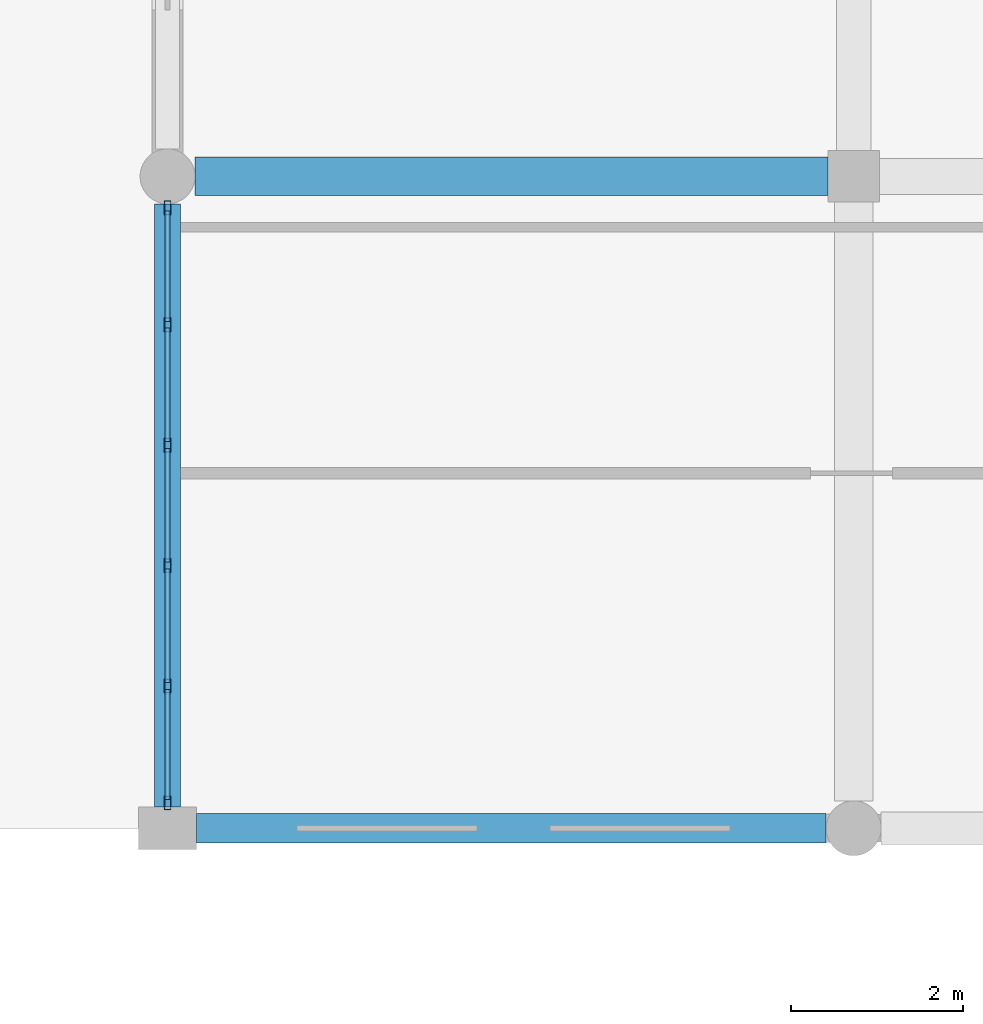
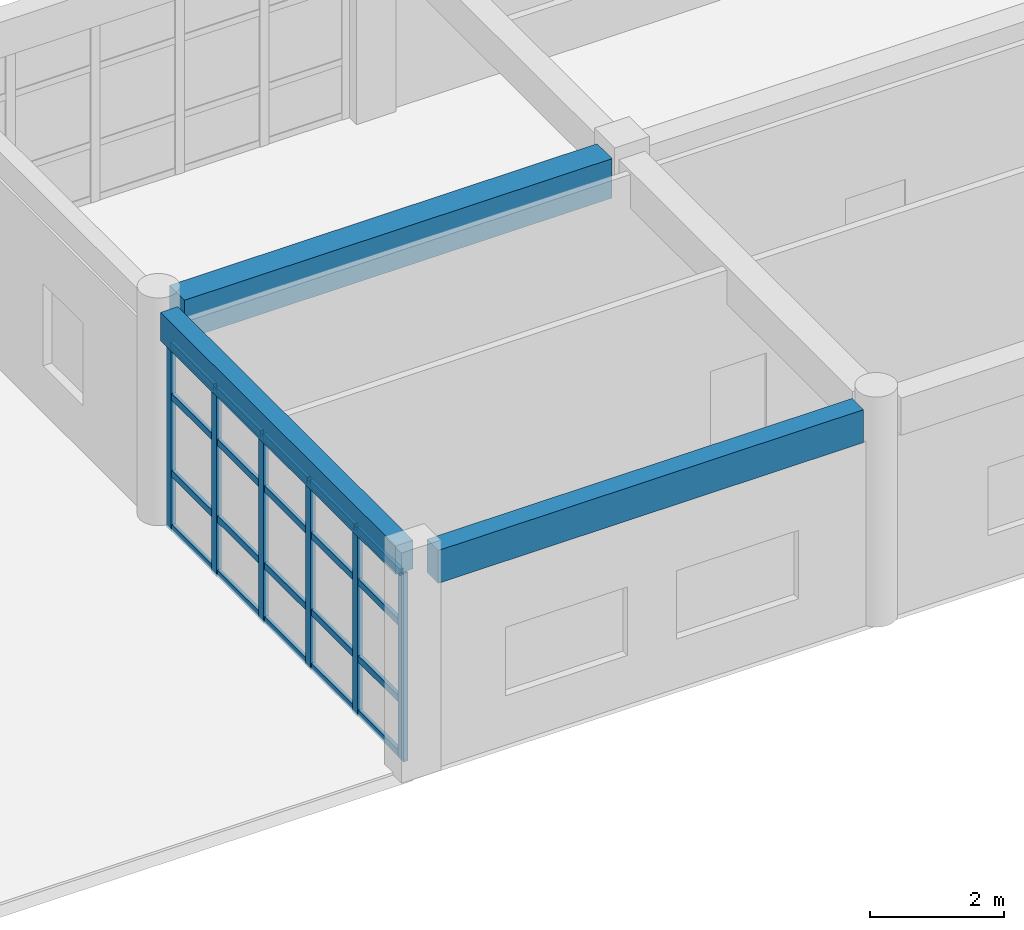
# One storey, part 33 of 121: 26 members, 3 beams, 1 element without a shape of its own.
"""IFC4 building model written with IfcOpenShell, lengths in metres."""

import ifcopenshell
import ifcopenshell.guid

model = None  # the IFC model being written
_history = None  # IfcOwnerHistory: only IFC2X3 demands one
_inside = {}  # id of a spatial element -> (the spatial element, [elements in it])
_under = {}  # id of a project, library or spatial element -> (it, [spatial elements below it])
_declared = {}  # id of a project -> (the project, [libraries it declares])
_typed = {}  # id of a type object -> (the type object, [elements of that type])
_made_of = {}  # id of a material, layer set ... -> (it, [elements and type objects made of it])


def new_model(schema):
    """Start an empty IFC model of exactly this schema.

    Asked for "IFC4X3", IfcOpenShell would pick the latest addendum, in which some entities
    have other attributes; the version numbers below select the first issue.
    IFC2X3 requires an IfcOwnerHistory on every rooted entity: one is made here for all.
    """
    global model, _history
    if schema == "IFC4X3":
        model = ifcopenshell.file(schema_version=(4, 3, 0, 0))
    else:
        model = ifcopenshell.file(schema=schema)
    _inside.clear()
    _under.clear()
    _declared.clear()
    _typed.clear()
    _made_of.clear()
    _history = None
    if model.schema == "IFC2X3":
        org = make("IfcOrganization", Name="unknown")
        user = make(
            "IfcPersonAndOrganization",
            ThePerson=make("IfcPerson", FamilyName="unknown"),
            TheOrganization=org,
        )
        app = make(
            "IfcApplication",
            ApplicationDeveloper=org,
            Version="unknown",
            ApplicationFullName="unknown",
            ApplicationIdentifier="unknown",
        )
        _history = make(
            "IfcOwnerHistory",
            OwningUser=user,
            OwningApplication=app,
            ChangeAction="ADDED",
            CreationDate=0,
        )
    return model


def make(cls, **values):
    """One entity of the class cls with the attributes given. An attribute that is None is left unset."""
    return model.create_entity(
        cls, **{name: value for name, value in values.items() if value is not None}
    )


def rooted(cls, **values):
    """An entity with a GlobalId (a new one), such as an element, a storey or a relation."""
    return make(cls, GlobalId=ifcopenshell.guid.new(), OwnerHistory=_history, **values)


def si_unit(unit_type, name, prefix=None):
    """IfcSIUnit, for example si_unit("LENGTHUNIT", "METRE", prefix="MILLI")."""
    return make("IfcSIUnit", UnitType=unit_type, Prefix=prefix, Name=name)


def assignment(units):
    """IfcUnitAssignment: the units of a project."""
    return None if units is None else make("IfcUnitAssignment", Units=units)


def point(xyz):
    """IfcCartesianPoint."""
    return None if xyz is None else make("IfcCartesianPoint", Coordinates=xyz)


def direction(xyz):
    """IfcDirection."""
    return None if xyz is None else make("IfcDirection", DirectionRatios=xyz)


def frame(location, z_axis=None, x_axis=None):
    """IfcAxis2Placement3D, a coordinate frame: its origin and axes. An axis left out is left unset."""
    return make(
        "IfcAxis2Placement3D",
        Location=point(location),
        Axis=direction(z_axis),
        RefDirection=direction(x_axis),
    )


def frame_2d(location, x_axis=None):
    """IfcAxis2Placement2D, a coordinate frame in the plane: its origin and x axis."""
    return make(
        "IfcAxis2Placement2D", Location=point(location), RefDirection=direction(x_axis)
    )


def origin():
    """The frame at (0, 0, 0) with its axes left unset."""
    return frame((0.0, 0.0, 0.0))


def origin_2d():
    """The frame at (0, 0) in the plane with its x axis left unset."""
    return frame_2d((0.0, 0.0))


def place(relative_to, where):
    """IfcLocalPlacement: puts the frame where relative to a parent placement (None: the world)."""
    return make(
        "IfcLocalPlacement", PlacementRelTo=relative_to, RelativePlacement=where
    )


def context(
    kind, dimensions, precision=None, world=None, true_north=None, identifier=None
):
    """IfcGeometricRepresentationContext, for example the 3D "Model" context."""
    return make(
        "IfcGeometricRepresentationContext",
        ContextIdentifier=identifier,
        ContextType=kind,
        CoordinateSpaceDimension=dimensions,
        Precision=precision,
        WorldCoordinateSystem=world,
        TrueNorth=true_north,
    )


def subcontext(parent, identifier, kind, view, scale=None):
    """IfcGeometricRepresentationSubContext, for example "Body" below "Model"."""
    return make(
        "IfcGeometricRepresentationSubContext",
        ContextIdentifier=identifier,
        ContextType=kind,
        ParentContext=parent,
        TargetScale=scale,
        TargetView=view,
    )


def project(units=None, contexts=None):
    """IfcProject with its units and contexts."""
    return rooted(
        "IfcProject",
        Name="project",
        RepresentationContexts=contexts,
        UnitsInContext=assignment(units),
    )


def spatial(cls, under=None, at=None, **own):
    """A site, building, storey or space (cls), placed at a placement, below another one or the project."""
    s = rooted(cls, ObjectPlacement=at, **own)
    if under is not None:
        _under.setdefault(under.id(), (under, []))[1].append(s)
    return s


def profile(cls, at=None, kind="AREA", **sizes):
    """A parametric profile (cls). Its sizes go by their IFC names, for example OverallWidth=200.0."""
    return make(cls, ProfileType=kind, Position=at, **sizes)


def rectangle(**sizes):
    """IfcRectangleProfileDef."""
    return profile("IfcRectangleProfileDef", **sizes)


def hollow_rectangle(**sizes):
    """IfcRectangleHollowProfileDef."""
    return profile("IfcRectangleHollowProfileDef", **sizes)


def extrude(swept, where, along, depth):
    """IfcExtrudedAreaSolid: the profile swept, set in the frame where, extruded along a direction by depth."""
    return make(
        "IfcExtrudedAreaSolid",
        SweptArea=swept,
        Position=where,
        ExtrudedDirection=direction(along),
        Depth=depth,
    )


def shape(context_of_items, identifier, shape_type, items):
    """IfcShapeRepresentation: the items that make up one representation, for example the "Body"."""
    return make(
        "IfcShapeRepresentation",
        ContextOfItems=context_of_items,
        RepresentationIdentifier=identifier,
        RepresentationType=shape_type,
        Items=items,
    )


def material(Name=None, Category=None):
    """IfcMaterial."""
    return make("IfcMaterial", Name=Name, Category=Category)


def material_profile(
    of_material, cross_section, Name=None, Category=None, Priority=None
):
    """IfcMaterialProfile: a cross section and its material."""
    return make(
        "IfcMaterialProfile",
        Name=Name,
        Material=of_material,
        Profile=cross_section,
        Priority=Priority,
        Category=Category,
    )


def profile_set(profiles, Name=None, composite=None):
    """IfcMaterialProfileSet."""
    return make(
        "IfcMaterialProfileSet",
        Name=Name,
        MaterialProfiles=profiles,
        CompositeProfile=composite,
    )


def made_of(thing, what):
    """Note that an element or type object is made of a material, layer set ...; save() writes the relation."""
    if what is not None:
        _made_of.setdefault(what.id(), (what, []))[1].append(thing)
    return thing


def type_object(cls, material=None, **own):
    """A type object (cls), such as IfcWallType, which elements share."""
    return made_of(rooted(cls, **own), material)


def element(
    cls,
    number,
    at=None,
    inside=None,
    cuts=None,
    type_object=None,
    material=None,
    context=None,
    identifier="Body",
    shape_type=None,
    held_by="IfcProductDefinitionShape",
    body=None,
    shapes=None,
    **own,
):
    """One element of the class cls, such as IfcWall. Its Tag is "e" and its number.

    at: its placement. inside: the storey or other place that contains it. cuts: it is an
    opening in that element (IfcRelVoidsElement). A single representation is given by context,
    identifier, shape_type and body (its items); several are given by shapes. held_by: the class
    of the entity that holds the representations. save() writes the other relations.
    """
    e = rooted(cls, Tag="e%d" % number, ObjectPlacement=at, **own)
    if body is not None:
        shapes = [shape(context, identifier, shape_type, body)]
    if shapes is not None:
        e.Representation = make(held_by, Representations=shapes)
    if inside is not None:
        _inside.setdefault(inside.id(), (inside, []))[1].append(e)
    if cuts is not None:
        rooted(
            "IfcRelVoidsElement", RelatingBuildingElement=cuts, RelatedOpeningElement=e
        )
    if type_object is not None:
        _typed.setdefault(type_object.id(), (type_object, []))[1].append(e)
    return made_of(e, material)


def aggregate(whole, parts):
    """IfcRelAggregates: a whole, such as a stair, and the parts it consists of."""
    return rooted("IfcRelAggregates", RelatingObject=whole, RelatedObjects=parts)


def save(model, path):
    """Write the relations noted so far, then the file.

    IfcRelAggregates (storeys below a building ...), IfcRelContainedInSpatialStructure (elements
    in a storey), IfcRelDefinesByType, IfcRelAssociatesMaterial and IfcRelDeclares: one each for
    every whole, place, type object, material and project.
    """
    for whole, parts in _under.values():
        aggregate(whole, parts)
    for where, things in _inside.values():
        rooted(
            "IfcRelContainedInSpatialStructure",
            RelatedElements=things,
            RelatingStructure=where,
        )
    for kind, things in _typed.values():
        rooted("IfcRelDefinesByType", RelatedObjects=things, RelatingType=kind)
    for what, things in _made_of.values():
        rooted("IfcRelAssociatesMaterial", RelatedObjects=things, RelatingMaterial=what)
    for by, libraries in _declared.values():
        rooted("IfcRelDeclares", RelatingContext=by, RelatedDefinitions=libraries)
    model.write(path)


model = new_model("IFC4")

# Units and contexts
model_context = context("Model", 3, precision=1e-05, world=origin(), true_north=direction((0.0, 1.0)))
body_context = subcontext(model_context, "Body", "Model", "MODEL_VIEW")
ifc_project = project(units=[si_unit("LENGTHUNIT", "METRE"), si_unit("AREAUNIT", "SQUARE_METRE"), si_unit("VOLUMEUNIT", "CUBIC_METRE"), si_unit("PLANEANGLEUNIT", "RADIAN"), si_unit("MASSUNIT", "GRAM", prefix="KILO")], contexts=[model_context])

# Site, building, storey
site_placement = place(None, origin())
site = spatial("IfcSite", under=ifc_project, at=site_placement, CompositionType="ELEMENT")
building_placement = place(site_placement, origin())
building = spatial("IfcBuilding", under=site, at=building_placement, Name="Kharva Crest Polytechnic", CompositionType="ELEMENT")
storey_placement = place(building_placement, frame((0.0, 0.0, 13.199951171875)))
storey = spatial("IfcBuildingStorey", under=building, at=storey_placement, Name="L03", CompositionType="ELEMENT", Elevation=13.199951171875)

# Beam
ifc_material_1 = material(Name="Concrete C35/45", Category="concrete")
ifc_material_profile_1 = material_profile(ifc_material_1, rectangle(XDim=0.449951171875, YDim=0.719970703125, at=origin_2d()), Name="RECT 450 X 720")
ifc_profile_set_1 = profile_set([ifc_material_profile_1], Name="Concrete C35/45")
beam_type_1 = type_object("IfcBeamType", Name="BM-RC-450X720", PredefinedType="BEAM", material=ifc_profile_set_1)
beam_1_placement = place(storey_placement, frame((72.320068359375, 15.199951171875, 3.60009765625), z_axis=(1.0, 0.0, 0.0), x_axis=(0.0, 1.0, 0.0)))
element("IfcBeam", 1, at=beam_1_placement, inside=storey, type_object=beam_type_1, Name="L03 Beam C/10-11", PredefinedType="BEAM", context=body_context, shape_type="SweptSolid", body=[
    extrude(rectangle(XDim=0.449951171875, YDim=0.719970703125, at=origin_2d()), origin(), (0.0, 0.0, 1.0), 7.3798828125),
])

# Curtain wall, members
ifc_material_2 = material(Name="Tempered insulated glass", Category="glass")
curtain_wall_type = type_object("IfcCurtainWallType", Name="CW-SYS-COURT", PredefinedType="USERDEFINED", material=ifc_material_2)
curtain_wall_placement = place(storey_placement, origin())
curtain_wall = element("IfcCurtainWall", 2, at=curtain_wall_placement, inside=storey, type_object=curtain_wall_type, Name="L03 Glazed Curtain Wall CW-134", ObjectType="CURTAIN WALL", PredefinedType="USERDEFINED")
ifc_material_3 = material(Name="Steel S355", Category="steel")
ifc_material_profile_2 = material_profile(ifc_material_3, hollow_rectangle(XDim=0.080078125, YDim=0.159912109375, WallThickness=0.0048828125, at=origin_2d()), Name="RHS 160X80X5.0")
ifc_profile_set_2 = profile_set([ifc_material_profile_2], Name="Steel S355")
member_type_1 = type_object("IfcMemberType", Name="CWM-RHS160X80", PredefinedType="MULLION", material=ifc_profile_set_2)
member_1_placement = place(storey_placement, frame((72.0, 14.8349609375, 0.0), z_axis=(0.0, 0.0, 1.0), x_axis=(1.0, 0.0, 0.0)))
member_1 = element("IfcMember", 3, at=member_1_placement, type_object=member_type_1, Name="CW-134 mullion 1", PredefinedType="MULLION", context=body_context, shape_type="SweptSolid", body=[
    extrude(hollow_rectangle(XDim=0.080078125, YDim=0.159912109375, WallThickness=0.0048828125, at=origin_2d()), origin(), (0.0, 0.0, 1.0), 3.43994140625),
])
member_2_placement = place(storey_placement, frame((72.0, 13.470947265625, 0.0), z_axis=(0.0, 0.0, 1.0), x_axis=(1.0, 0.0, 0.0)))
member_2 = element("IfcMember", 4, at=member_2_placement, type_object=member_type_1, Name="CW-134 mullion 2", PredefinedType="MULLION", context=body_context, shape_type="SweptSolid", body=[
    extrude(hollow_rectangle(XDim=0.080078125, YDim=0.159912109375, WallThickness=0.0048828125, at=origin_2d()), origin(), (0.0, 0.0, 1.0), 3.43994140625),
])
member_3_placement = place(storey_placement, frame((72.0, 12.06689453125, 0.0), z_axis=(0.0, 0.0, 1.0), x_axis=(1.0, 0.0, 0.0)))
member_3 = element("IfcMember", 5, at=member_3_placement, type_object=member_type_1, Name="CW-134 mullion 3", PredefinedType="MULLION", context=body_context, shape_type="SweptSolid", body=[
    extrude(hollow_rectangle(XDim=0.080078125, YDim=0.159912109375, WallThickness=0.0048828125, at=origin_2d()), origin(), (0.0, 0.0, 1.0), 3.43994140625),
])
member_4_placement = place(storey_placement, frame((72.0, 10.6630859375, 0.0), z_axis=(0.0, 0.0, 1.0), x_axis=(1.0, 0.0, 0.0)))
member_4 = element("IfcMember", 6, at=member_4_placement, type_object=member_type_1, Name="CW-134 mullion 4", PredefinedType="MULLION", context=body_context, shape_type="SweptSolid", body=[
    extrude(hollow_rectangle(XDim=0.080078125, YDim=0.159912109375, WallThickness=0.0048828125, at=origin_2d()), origin(), (0.0, 0.0, 1.0), 3.43994140625),
])
member_5_placement = place(storey_placement, frame((72.0, 9.259033203125, 0.0), z_axis=(0.0, 0.0, 1.0), x_axis=(1.0, 0.0, 0.0)))
member_5 = element("IfcMember", 7, at=member_5_placement, type_object=member_type_1, Name="CW-134 mullion 5", PredefinedType="MULLION", context=body_context, shape_type="SweptSolid", body=[
    extrude(hollow_rectangle(XDim=0.080078125, YDim=0.159912109375, WallThickness=0.0048828125, at=origin_2d()), origin(), (0.0, 0.0, 1.0), 3.43994140625),
])
member_6_placement = place(storey_placement, frame((72.0, 7.89501953125, 0.0), z_axis=(0.0, 0.0, 1.0), x_axis=(1.0, 0.0, 0.0)))
member_6 = element("IfcMember", 8, at=member_6_placement, type_object=member_type_1, Name="CW-134 mullion 6", PredefinedType="MULLION", context=body_context, shape_type="SweptSolid", body=[
    extrude(hollow_rectangle(XDim=0.080078125, YDim=0.159912109375, WallThickness=0.0048828125, at=origin_2d()), origin(), (0.0, 0.0, 1.0), 3.43994140625),
])
ifc_material_profile_3 = material_profile(ifc_material_3, hollow_rectangle(XDim=0.06005859375, YDim=0.1201171875, WallThickness=0.00390625, at=origin_2d()), Name="RHS 120X60X4.0")
ifc_profile_set_3 = profile_set([ifc_material_profile_3], Name="Steel S355")
member_type_2 = type_object("IfcMemberType", Name="CWT-RHS120X60", PredefinedType="USERDEFINED", material=ifc_profile_set_3)
member_7_placement = place(storey_placement, frame((72.0, 14.794921875, 0.06005859375), z_axis=(0.0, -1.0, 0.0), x_axis=(1.0, 0.0, 0.0)))
member_7 = element("IfcMember", 9, at=member_7_placement, type_object=member_type_2, Name="CW-134 transom 1.1", ObjectType="TRANSOM", PredefinedType="USERDEFINED", context=body_context, shape_type="SweptSolid", body=[
    extrude(hollow_rectangle(XDim=0.06005859375, YDim=0.1201171875, WallThickness=0.00390625, at=origin_2d()), origin(), (0.0, 0.0, 1.0), 1.283935546875),
])
member_8_placement = place(storey_placement, frame((72.0, 14.794921875, 1.050048828125), z_axis=(0.0, -1.0, 0.0), x_axis=(1.0, 0.0, 0.0)))
member_8 = element("IfcMember", 10, at=member_8_placement, type_object=member_type_2, Name="CW-134 transom 1.2", ObjectType="TRANSOM", PredefinedType="USERDEFINED", context=body_context, shape_type="SweptSolid", body=[
    extrude(hollow_rectangle(XDim=0.06005859375, YDim=0.1201171875, WallThickness=0.00390625, at=origin_2d()), origin(), (0.0, 0.0, 1.0), 1.283935546875),
])
member_9_placement = place(storey_placement, frame((72.0, 14.794921875, 2.449951171875), z_axis=(0.0, -1.0, 0.0), x_axis=(1.0, 0.0, 0.0)))
member_9 = element("IfcMember", 11, at=member_9_placement, type_object=member_type_2, Name="CW-134 transom 1.3", ObjectType="TRANSOM", PredefinedType="USERDEFINED", context=body_context, shape_type="SweptSolid", body=[
    extrude(hollow_rectangle(XDim=0.06005859375, YDim=0.1201171875, WallThickness=0.00390625, at=origin_2d()), origin(), (0.0, 0.0, 1.0), 1.283935546875),
])
member_10_placement = place(storey_placement, frame((72.0, 14.794921875, 3.380126953125), z_axis=(0.0, -1.0, 0.0), x_axis=(1.0, 0.0, 0.0)))
member_10 = element("IfcMember", 12, at=member_10_placement, type_object=member_type_2, Name="CW-134 transom 1.4", ObjectType="TRANSOM", PredefinedType="USERDEFINED", context=body_context, shape_type="SweptSolid", body=[
    extrude(hollow_rectangle(XDim=0.06005859375, YDim=0.1201171875, WallThickness=0.00390625, at=origin_2d()), origin(), (0.0, 0.0, 1.0), 1.283935546875),
])
member_11_placement = place(storey_placement, frame((72.0, 13.430908203125, 0.06005859375), z_axis=(0.0, -1.0, 0.0), x_axis=(1.0, 0.0, 0.0)))
member_11 = element("IfcMember", 13, at=member_11_placement, type_object=member_type_2, Name="CW-134 transom 2.1", ObjectType="TRANSOM", PredefinedType="USERDEFINED", context=body_context, shape_type="SweptSolid", body=[
    extrude(hollow_rectangle(XDim=0.06005859375, YDim=0.1201171875, WallThickness=0.00390625, at=origin_2d()), origin(), (0.0, 0.0, 1.0), 1.323974609375),
])
member_12_placement = place(storey_placement, frame((72.0, 13.430908203125, 1.050048828125), z_axis=(0.0, -1.0, 0.0), x_axis=(1.0, 0.0, 0.0)))
member_12 = element("IfcMember", 14, at=member_12_placement, type_object=member_type_2, Name="CW-134 transom 2.2", ObjectType="TRANSOM", PredefinedType="USERDEFINED", context=body_context, shape_type="SweptSolid", body=[
    extrude(hollow_rectangle(XDim=0.06005859375, YDim=0.1201171875, WallThickness=0.00390625, at=origin_2d()), origin(), (0.0, 0.0, 1.0), 1.323974609375),
])
member_13_placement = place(storey_placement, frame((72.0, 13.430908203125, 2.449951171875), z_axis=(0.0, -1.0, 0.0), x_axis=(1.0, 0.0, 0.0)))
member_13 = element("IfcMember", 15, at=member_13_placement, type_object=member_type_2, Name="CW-134 transom 2.3", ObjectType="TRANSOM", PredefinedType="USERDEFINED", context=body_context, shape_type="SweptSolid", body=[
    extrude(hollow_rectangle(XDim=0.06005859375, YDim=0.1201171875, WallThickness=0.00390625, at=origin_2d()), origin(), (0.0, 0.0, 1.0), 1.323974609375),
])
member_14_placement = place(storey_placement, frame((72.0, 13.430908203125, 3.380126953125), z_axis=(0.0, -1.0, 0.0), x_axis=(1.0, 0.0, 0.0)))
member_14 = element("IfcMember", 16, at=member_14_placement, type_object=member_type_2, Name="CW-134 transom 2.4", ObjectType="TRANSOM", PredefinedType="USERDEFINED", context=body_context, shape_type="SweptSolid", body=[
    extrude(hollow_rectangle(XDim=0.06005859375, YDim=0.1201171875, WallThickness=0.00390625, at=origin_2d()), origin(), (0.0, 0.0, 1.0), 1.323974609375),
])
member_15_placement = place(storey_placement, frame((72.0, 12.027099609375, 0.06005859375), z_axis=(0.0, -1.0, 0.0), x_axis=(1.0, 0.0, 0.0)))
member_15 = element("IfcMember", 17, at=member_15_placement, type_object=member_type_2, Name="CW-134 transom 3.1", ObjectType="TRANSOM", PredefinedType="USERDEFINED", context=body_context, shape_type="SweptSolid", body=[
    extrude(hollow_rectangle(XDim=0.06005859375, YDim=0.1201171875, WallThickness=0.00390625, at=origin_2d()), origin(), (0.0, 0.0, 1.0), 1.32421875),
])
member_16_placement = place(storey_placement, frame((72.0, 12.027099609375, 1.050048828125), z_axis=(0.0, -1.0, 0.0), x_axis=(1.0, 0.0, 0.0)))
member_16 = element("IfcMember", 18, at=member_16_placement, type_object=member_type_2, Name="CW-134 transom 3.2", ObjectType="TRANSOM", PredefinedType="USERDEFINED", context=body_context, shape_type="SweptSolid", body=[
    extrude(hollow_rectangle(XDim=0.06005859375, YDim=0.1201171875, WallThickness=0.00390625, at=origin_2d()), origin(), (0.0, 0.0, 1.0), 1.32421875),
])
member_17_placement = place(storey_placement, frame((72.0, 12.027099609375, 2.449951171875), z_axis=(0.0, -1.0, 0.0), x_axis=(1.0, 0.0, 0.0)))
member_17 = element("IfcMember", 19, at=member_17_placement, type_object=member_type_2, Name="CW-134 transom 3.3", ObjectType="TRANSOM", PredefinedType="USERDEFINED", context=body_context, shape_type="SweptSolid", body=[
    extrude(hollow_rectangle(XDim=0.06005859375, YDim=0.1201171875, WallThickness=0.00390625, at=origin_2d()), origin(), (0.0, 0.0, 1.0), 1.32421875),
])
member_18_placement = place(storey_placement, frame((72.0, 12.027099609375, 3.380126953125), z_axis=(0.0, -1.0, 0.0), x_axis=(1.0, 0.0, 0.0)))
member_18 = element("IfcMember", 20, at=member_18_placement, type_object=member_type_2, Name="CW-134 transom 3.4", ObjectType="TRANSOM", PredefinedType="USERDEFINED", context=body_context, shape_type="SweptSolid", body=[
    extrude(hollow_rectangle(XDim=0.06005859375, YDim=0.1201171875, WallThickness=0.00390625, at=origin_2d()), origin(), (0.0, 0.0, 1.0), 1.32421875),
])
member_19_placement = place(storey_placement, frame((72.0, 10.623046875, 0.06005859375), z_axis=(0.0, -1.0, 0.0), x_axis=(1.0, 0.0, 0.0)))
member_19 = element("IfcMember", 21, at=member_19_placement, type_object=member_type_2, Name="CW-134 transom 4.1", ObjectType="TRANSOM", PredefinedType="USERDEFINED", context=body_context, shape_type="SweptSolid", body=[
    extrude(hollow_rectangle(XDim=0.06005859375, YDim=0.1201171875, WallThickness=0.00390625, at=origin_2d()), origin(), (0.0, 0.0, 1.0), 1.323974609375),
])
member_20_placement = place(storey_placement, frame((72.0, 10.623046875, 1.050048828125), z_axis=(0.0, -1.0, 0.0), x_axis=(1.0, 0.0, 0.0)))
member_20 = element("IfcMember", 22, at=member_20_placement, type_object=member_type_2, Name="CW-134 transom 4.2", ObjectType="TRANSOM", PredefinedType="USERDEFINED", context=body_context, shape_type="SweptSolid", body=[
    extrude(hollow_rectangle(XDim=0.06005859375, YDim=0.1201171875, WallThickness=0.00390625, at=origin_2d()), origin(), (0.0, 0.0, 1.0), 1.323974609375),
])
member_21_placement = place(storey_placement, frame((72.0, 10.623046875, 2.449951171875), z_axis=(0.0, -1.0, 0.0), x_axis=(1.0, 0.0, 0.0)))
member_21 = element("IfcMember", 23, at=member_21_placement, type_object=member_type_2, Name="CW-134 transom 4.3", ObjectType="TRANSOM", PredefinedType="USERDEFINED", context=body_context, shape_type="SweptSolid", body=[
    extrude(hollow_rectangle(XDim=0.06005859375, YDim=0.1201171875, WallThickness=0.00390625, at=origin_2d()), origin(), (0.0, 0.0, 1.0), 1.323974609375),
])
member_22_placement = place(storey_placement, frame((72.0, 10.623046875, 3.380126953125), z_axis=(0.0, -1.0, 0.0), x_axis=(1.0, 0.0, 0.0)))
member_22 = element("IfcMember", 24, at=member_22_placement, type_object=member_type_2, Name="CW-134 transom 4.4", ObjectType="TRANSOM", PredefinedType="USERDEFINED", context=body_context, shape_type="SweptSolid", body=[
    extrude(hollow_rectangle(XDim=0.06005859375, YDim=0.1201171875, WallThickness=0.00390625, at=origin_2d()), origin(), (0.0, 0.0, 1.0), 1.323974609375),
])
member_23_placement = place(storey_placement, frame((72.0, 9.218994140625, 0.06005859375), z_axis=(0.0, -1.0, 0.0), x_axis=(1.0, 0.0, 0.0)))
member_23 = element("IfcMember", 25, at=member_23_placement, type_object=member_type_2, Name="CW-134 transom 5.1", ObjectType="TRANSOM", PredefinedType="USERDEFINED", context=body_context, shape_type="SweptSolid", body=[
    extrude(hollow_rectangle(XDim=0.06005859375, YDim=0.1201171875, WallThickness=0.00390625, at=origin_2d()), origin(), (0.0, 0.0, 1.0), 1.283935546875),
])
member_24_placement = place(storey_placement, frame((72.0, 9.218994140625, 1.050048828125), z_axis=(0.0, -1.0, 0.0), x_axis=(1.0, 0.0, 0.0)))
member_24 = element("IfcMember", 26, at=member_24_placement, type_object=member_type_2, Name="CW-134 transom 5.2", ObjectType="TRANSOM", PredefinedType="USERDEFINED", context=body_context, shape_type="SweptSolid", body=[
    extrude(hollow_rectangle(XDim=0.06005859375, YDim=0.1201171875, WallThickness=0.00390625, at=origin_2d()), origin(), (0.0, 0.0, 1.0), 1.283935546875),
])
member_25_placement = place(storey_placement, frame((72.0, 9.218994140625, 2.449951171875), z_axis=(0.0, -1.0, 0.0), x_axis=(1.0, 0.0, 0.0)))
member_25 = element("IfcMember", 27, at=member_25_placement, type_object=member_type_2, Name="CW-134 transom 5.3", ObjectType="TRANSOM", PredefinedType="USERDEFINED", context=body_context, shape_type="SweptSolid", body=[
    extrude(hollow_rectangle(XDim=0.06005859375, YDim=0.1201171875, WallThickness=0.00390625, at=origin_2d()), origin(), (0.0, 0.0, 1.0), 1.283935546875),
])
member_26_placement = place(storey_placement, frame((72.0, 9.218994140625, 3.380126953125), z_axis=(0.0, -1.0, 0.0), x_axis=(1.0, 0.0, 0.0)))
member_26 = element("IfcMember", 28, at=member_26_placement, type_object=member_type_2, Name="CW-134 transom 5.4", ObjectType="TRANSOM", PredefinedType="USERDEFINED", context=body_context, shape_type="SweptSolid", body=[
    extrude(hollow_rectangle(XDim=0.06005859375, YDim=0.1201171875, WallThickness=0.00390625, at=origin_2d()), origin(), (0.0, 0.0, 1.0), 1.283935546875),
])
aggregate(curtain_wall, [member_1, member_2, member_3, member_4, member_5, member_6, member_7, member_8, member_9, member_10, member_11, member_12, member_13, member_14, member_15, member_16, member_17, member_18, member_19, member_20, member_21, member_22, member_23, member_24, member_25, member_26])

# Beams
ifc_material_profile_4 = material_profile(ifc_material_1, rectangle(XDim=0.300048828125, YDim=0.52001953125, at=origin_2d()), Name="RECT 300 X 520")
ifc_profile_set_4 = profile_set([ifc_material_profile_4], Name="Concrete C35/45")
beam_type_2 = type_object("IfcBeamType", Name="SP-RC-300X520", PredefinedType="SPANDREL", material=ifc_profile_set_4)
beam_2_placement = place(storey_placement, frame((72.0, 7.85009765625, 3.699951171875), z_axis=(0.0, 1.0, 0.0), x_axis=(-1.0, 0.0, 0.0)))
element("IfcBeam", 29, at=beam_2_placement, inside=storey, type_object=beam_type_2, Name="L03 Girder 10/B-C", PredefinedType="SPANDREL", context=body_context, shape_type="SweptSolid", body=[
    extrude(rectangle(XDim=0.300048828125, YDim=0.52001953125, at=origin_2d()), origin(), (0.0, 0.0, 1.0), 7.02978515625),
])
ifc_material_profile_5 = material_profile(ifc_material_1, rectangle(XDim=0.340087890625, YDim=0.60009765625, at=origin_2d()), Name="RECT 340 X 600")
ifc_profile_set_5 = profile_set([ifc_material_profile_5], Name="Concrete C35/45")
beam_type_3 = type_object("IfcBeamType", Name="SP-RC-340X600", PredefinedType="SPANDREL", material=ifc_profile_set_5)
beam_3_placement = place(storey_placement, frame((72.340087890625, 7.60009765625, 3.66015625), z_axis=(1.0, 0.0, 0.0), x_axis=(0.0, 1.0, 0.0)))
element("IfcBeam", 30, at=beam_3_placement, inside=storey, type_object=beam_type_3, Name="L03 Beam B/10-11", PredefinedType="SPANDREL", context=body_context, shape_type="SweptSolid", body=[
    extrude(rectangle(XDim=0.340087890625, YDim=0.60009765625, at=origin_2d()), origin(), (0.0, 0.0, 1.0), 7.33984375),
])

save(model, "model.ifc")
